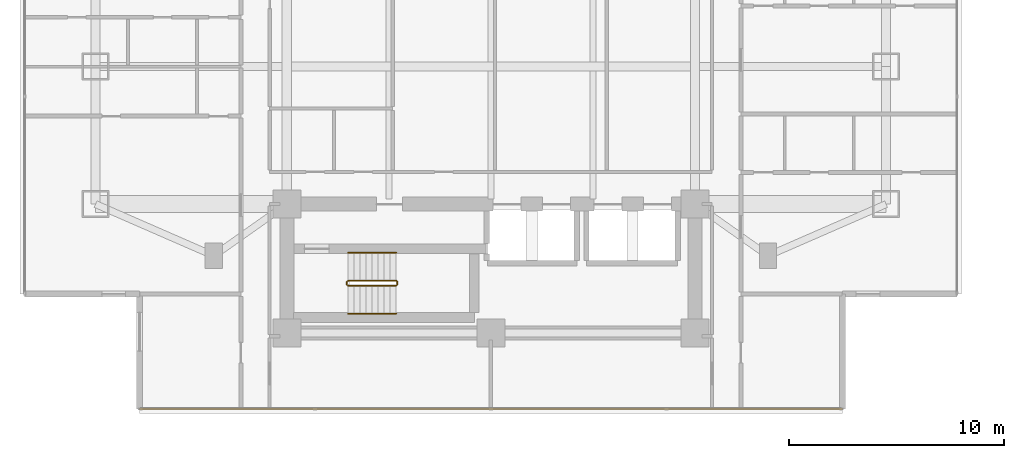
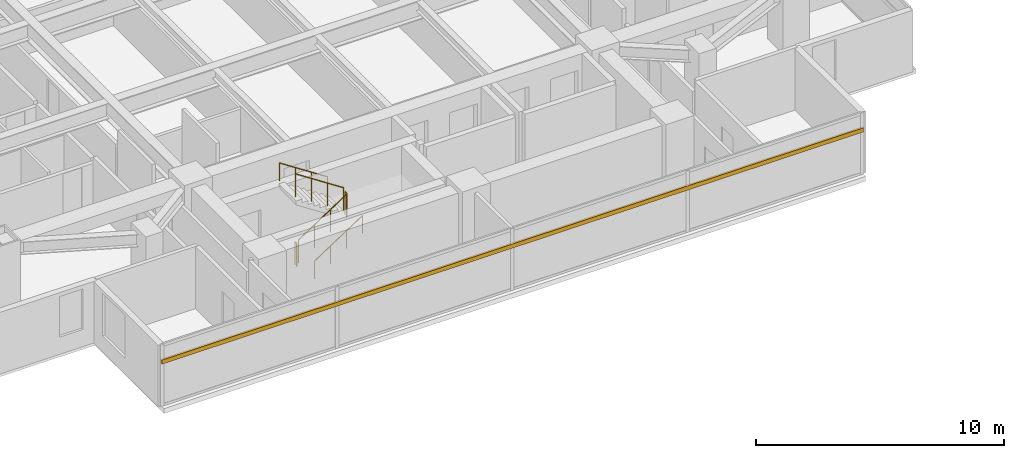
# One storey, part 20 of 24: 6 railings, 1 shading device.
"""IFC4 building model written with IfcOpenShell, lengths in metres."""

from ifc_helpers import new_model, si_unit, direction, frame, origin, origin_2d, place, context, subcontext, project, spatial, rectangle, circle, extrude, material, material_profile, profile_set, type_object, element, save


model = new_model("IFC4")

# Units and contexts
model_context = context("Model", 3, precision=1e-05, world=origin(), true_north=direction((0.0, 1.0)))
body_context = subcontext(model_context, "Body", "Model", "MODEL_VIEW")
ifc_project = project(units=[si_unit("LENGTHUNIT", "METRE"), si_unit("AREAUNIT", "SQUARE_METRE"), si_unit("VOLUMEUNIT", "CUBIC_METRE"), si_unit("PLANEANGLEUNIT", "RADIAN"), si_unit("MASSUNIT", "GRAM", prefix="KILO")], contexts=[model_context])

# Site, building, storey
site_placement = place(None, origin())
site = spatial("IfcSite", under=ifc_project, at=site_placement, CompositionType="ELEMENT")
building_placement = place(site_placement, origin())
building = spatial("IfcBuilding", under=site, at=building_placement, Name="Mirazonda Arch Towers", CompositionType="ELEMENT")
storey_placement = place(building_placement, frame((0.0, 0.0, 65.300048828125)))
storey = spatial("IfcBuildingStorey", under=building, at=storey_placement, Name="L18", CompositionType="ELEMENT", Elevation=65.300048828125)

# Shading device
ifc_material_1 = material(Name="Kiln-Fired Architectural Terracotta", Category="masonry")
ifc_material_profile = material_profile(ifc_material_1, rectangle(XDim=0.10009765625, YDim=0.199951171875, at=origin_2d()), Name="TERRA-BAG-100x200")
ifc_profile_set = profile_set([ifc_material_profile], Name="Kiln-Fired Architectural Terracotta")
shading_device_type = type_object("IfcShadingDeviceType", Name="BAGUETTE-2", PredefinedType="USERDEFINED", material=ifc_profile_set)
shading_device_placement = place(storey_placement, frame((36.860107421875, 8.867919921875, 2.188720703125), z_axis=(-1.0, 0.0, 0.0), x_axis=(0.0, -1.0, 0.0)))
element("IfcShadingDevice", 1, at=shading_device_placement, inside=storey, type_object=shading_device_type, Name="L18 Glazed Terracotta Sun-Screen Baguette CW-L18-T1-S", ObjectType="BAGUETTE", PredefinedType="USERDEFINED", context=body_context, shape_type="SweptSolid", body=[
    extrude(rectangle(XDim=0.10009765625, YDim=0.199951171875, at=origin_2d()), origin(), (0.0, 0.0, 1.0), 32.72021484375),
])

# Railings
ifc_material_2 = material(Name="Architectural Brushed Steel S355", Category="steel")
railing_type_1 = type_object("IfcRailingType", Name="GUARD-STAIR-1120", PredefinedType="GUARDRAIL", material=ifc_material_2)
railing_1_placement = place(storey_placement, frame((13.85009765625, 14.60009765625, 0.183349609375)))
element("IfcRailing", 2, at=railing_1_placement, inside=storey, type_object=railing_type_1, Name="L18 ST-T1S stair guard 1", PredefinedType="GUARDRAIL", context=body_context, shape_type="SweptSolid", body=[
    extrude(circle(Radius=0.02392578125, at=origin_2d()), frame((0.0, 0.0, 1.1259765625), z_axis=(0.836636935527, 0.0, 0.547757827979), x_axis=(0.0, 1.0, 0.0)), (0.0, 0.0, 1.0), 2.677490234375),
    extrude(circle(Radius=0.02099609375, at=origin_2d()), origin(), (0.0, 0.0, 1.0), 1.101806640625),
    extrude(circle(Radius=0.02099609375, at=origin_2d()), frame((0.74658203125, 0.0, 0.48876953125)), (0.0, 0.0, 1.0), 1.101806640625),
    extrude(circle(Radius=0.02099609375, at=origin_2d()), frame((1.493408203125, 0.0, 0.977783203125)), (0.0, 0.0, 1.0), 1.101806640625),
    extrude(circle(Radius=0.02099609375, at=origin_2d()), frame((2.239990234375, 0.0, 1.466552734375)), (0.0, 0.0, 1.0), 1.101806640625),
])
railing_2_placement = place(storey_placement, frame((16.139892578125, 14.64990234375, 1.64990234375)))
element("IfcRailing", 3, at=railing_2_placement, inside=storey, type_object=railing_type_1, Name="L18 ST-T1S stair guard 2", PredefinedType="GUARDRAIL", context=body_context, shape_type="SweptSolid", body=[
    extrude(circle(Radius=0.02392578125, at=origin_2d()), frame((0.0, 0.0, 1.1259765625), z_axis=(0.0, 1.0, 0.0), x_axis=(-1.0, 0.0, 0.0)), (0.0, 0.0, 1.0), 0.14013671875),
    extrude(circle(Radius=0.02099609375, at=origin_2d()), origin(), (0.0, 0.0, 1.0), 1.101806640625),
    extrude(circle(Radius=0.02099609375, at=origin_2d()), frame((0.0, 0.14013671875, 0.0)), (0.0, 0.0, 1.0), 1.101806640625),
])
railing_3_placement = place(storey_placement, frame((16.090087890625, 14.840087890625, 1.833251953125)))
element("IfcRailing", 4, at=railing_3_placement, inside=storey, type_object=railing_type_1, Name="L18 ST-T1S stair guard 3", PredefinedType="GUARDRAIL", context=body_context, shape_type="SweptSolid", body=[
    extrude(circle(Radius=0.02392578125, at=origin_2d()), frame((0.0, 0.0, 1.1259765625), z_axis=(-0.836595146698, 0.0, 0.547821650285), x_axis=(0.0, -1.0, 0.0)), (0.0, 0.0, 1.0), 2.677490234375),
    extrude(circle(Radius=0.02099609375, at=origin_2d()), origin(), (0.0, 0.0, 1.0), 1.101806640625),
    extrude(circle(Radius=0.02099609375, at=origin_2d()), frame((-0.74658203125, 0.0, 0.489013671875)), (0.0, 0.0, 1.0), 1.101806640625),
    extrude(circle(Radius=0.02099609375, at=origin_2d()), frame((-1.493408203125, 0.0, 0.977783203125)), (0.0, 0.0, 1.0), 1.101806640625),
    extrude(circle(Radius=0.02099609375, at=origin_2d()), frame((-2.239990234375, 0.0, 1.466796875)), (0.0, 0.0, 1.0), 1.101806640625),
])
railing_4_placement = place(storey_placement, frame((13.800048828125, 14.64990234375, 0.0)))
element("IfcRailing", 5, at=railing_4_placement, inside=storey, type_object=railing_type_1, Name="L18 ST-T1S stair guard 4", PredefinedType="GUARDRAIL", context=body_context, shape_type="SweptSolid", body=[
    extrude(circle(Radius=0.02392578125, at=origin_2d()), frame((0.0, 0.0, 1.1259765625), z_axis=(0.0, 1.0, 0.0), x_axis=(-1.0, 0.0, 0.0)), (0.0, 0.0, 1.0), 0.14013671875),
    extrude(circle(Radius=0.02099609375, at=origin_2d()), origin(), (0.0, 0.0, 1.0), 1.101806640625),
    extrude(circle(Radius=0.02099609375, at=origin_2d()), frame((0.0, 0.14013671875, 0.0)), (0.0, 0.0, 1.0), 1.101806640625),
])
railing_type_2 = type_object("IfcRailingType", Name="HANDRAIL-915", PredefinedType="HANDRAIL", material=ifc_material_2)
railing_5_placement = place(storey_placement, frame((13.85009765625, 13.300048828125, 0.183349609375)))
element("IfcRailing", 6, at=railing_5_placement, inside=storey, type_object=railing_type_2, Name="L18 ST-T1S stair handrail 1", PredefinedType="HANDRAIL", context=body_context, shape_type="SweptSolid", body=[
    extrude(circle(Radius=0.02392578125, at=origin_2d()), frame((0.0, 0.0, 0.8759765625), z_axis=(0.836636935527, 0.0, 0.547757827979), x_axis=(0.0, 1.0, 0.0)), (0.0, 0.0, 1.0), 2.677490234375),
    extrude(circle(Radius=0.02099609375, at=origin_2d()), origin(), (0.0, 0.0, 1.0), 0.851806640625),
    extrude(circle(Radius=0.02099609375, at=origin_2d()), frame((0.74658203125, 0.0, 0.48876953125)), (0.0, 0.0, 1.0), 0.851806640625),
    extrude(circle(Radius=0.02099609375, at=origin_2d()), frame((1.493408203125, 0.0, 0.977783203125)), (0.0, 0.0, 1.0), 0.851806640625),
    extrude(circle(Radius=0.02099609375, at=origin_2d()), frame((2.239990234375, 0.0, 1.466552734375)), (0.0, 0.0, 1.0), 0.851806640625),
])
railing_6_placement = place(storey_placement, frame((16.090087890625, 16.139892578125, 1.833251953125)))
element("IfcRailing", 7, at=railing_6_placement, inside=storey, type_object=railing_type_2, Name="L18 ST-T1S stair handrail 2", PredefinedType="HANDRAIL", context=body_context, shape_type="SweptSolid", body=[
    extrude(circle(Radius=0.02392578125, at=origin_2d()), frame((0.0, 0.0, 0.8759765625), z_axis=(-0.836595146698, 0.0, 0.547821650285), x_axis=(0.0, -1.0, 0.0)), (0.0, 0.0, 1.0), 2.677490234375),
    extrude(circle(Radius=0.02099609375, at=origin_2d()), origin(), (0.0, 0.0, 1.0), 0.851806640625),
    extrude(circle(Radius=0.02099609375, at=origin_2d()), frame((-0.74658203125, 0.0, 0.489013671875)), (0.0, 0.0, 1.0), 0.851806640625),
    extrude(circle(Radius=0.02099609375, at=origin_2d()), frame((-1.493408203125, 0.0, 0.977783203125)), (0.0, 0.0, 1.0), 0.851806640625),
    extrude(circle(Radius=0.02099609375, at=origin_2d()), frame((-2.239990234375, 0.0, 1.466796875)), (0.0, 0.0, 1.0), 0.851806640625),
])

save(model, "model.ifc")
